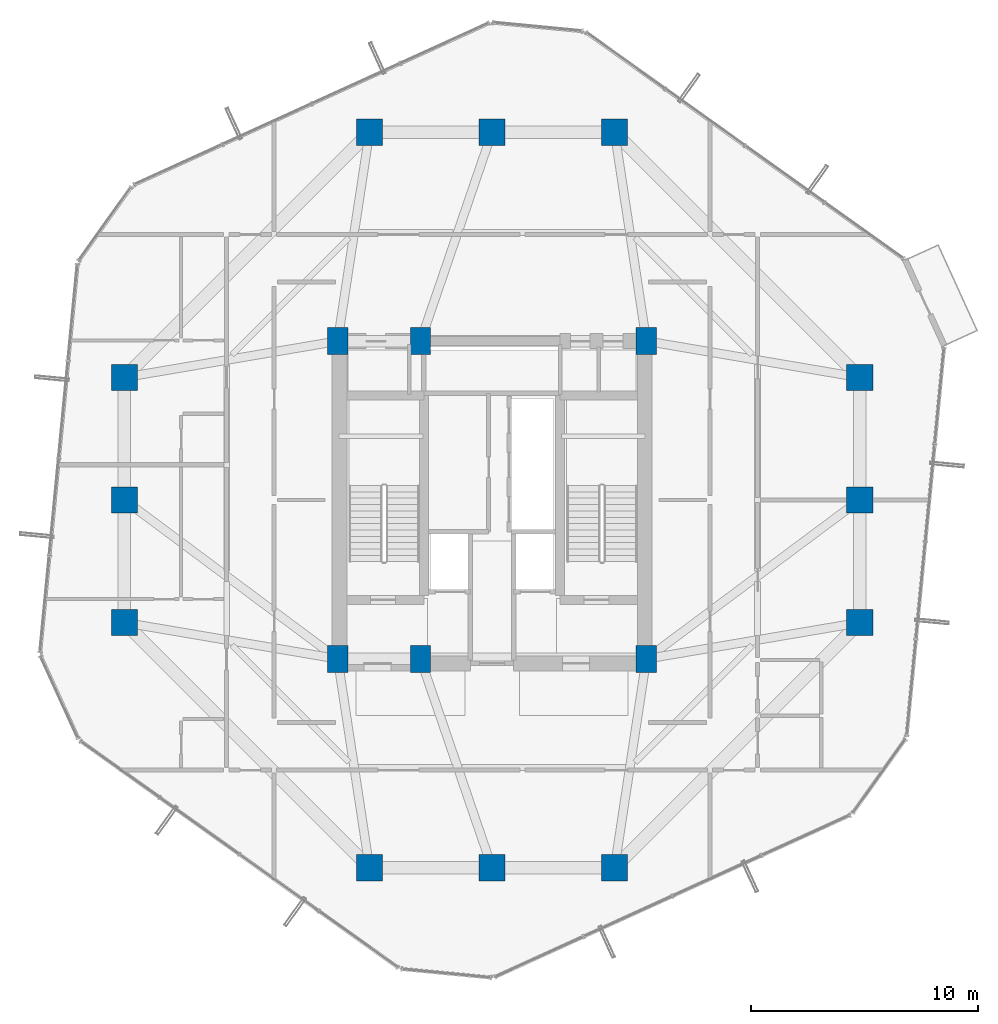
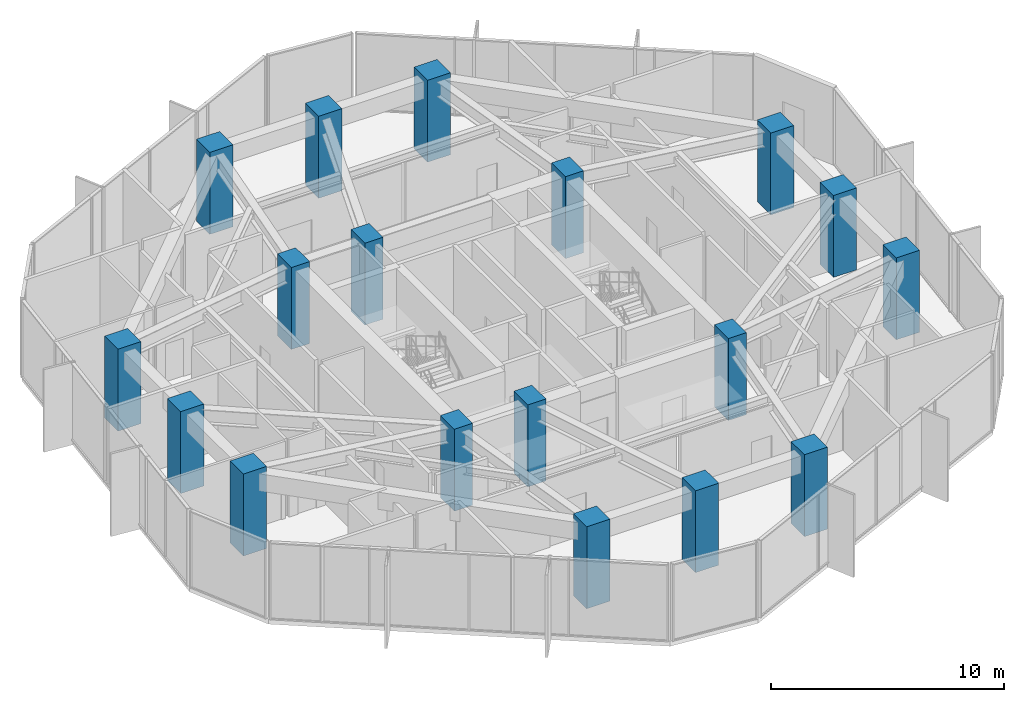
# One storey, part 1 of 25: 18 columns.
"""IFC4 building model written with IfcOpenShell, lengths in metres."""

from ifc_helpers import new_model, si_unit, direction, frame, origin, origin_2d, place, context, subcontext, project, spatial, rectangle, extrude, material, material_profile, profile_set, type_object, element, save


model = new_model("IFC4")

# Units and contexts
model_context = context("Model", 3, precision=1e-05, world=origin(), true_north=direction((0.0, 1.0)))
body_context = subcontext(model_context, "Body", "Model", "MODEL_VIEW")
ifc_project = project(units=[si_unit("LENGTHUNIT", "METRE"), si_unit("AREAUNIT", "SQUARE_METRE"), si_unit("VOLUMEUNIT", "CUBIC_METRE"), si_unit("PLANEANGLEUNIT", "RADIAN"), si_unit("MASSUNIT", "GRAM", prefix="KILO")], contexts=[model_context])

# Site, building, storey
site_placement = place(None, origin())
site = spatial("IfcSite", under=ifc_project, at=site_placement, CompositionType="ELEMENT")
building_placement = place(site_placement, origin())
building = spatial("IfcBuilding", under=site, at=building_placement, Name="Veraguas Prism Commons", CompositionType="ELEMENT")
storey_placement = place(building_placement, frame((0.0, 0.0, 108.949951171875)))
storey = spatial("IfcBuildingStorey", under=building, at=storey_placement, Name="L30", CompositionType="ELEMENT", Elevation=108.949951171875)

# Columns
ifc_material = material(Name="Concrete C60/75", Category="concrete")
ifc_material_profile_1 = material_profile(ifc_material, rectangle(XDim=1.14990234375, YDim=1.14990234375, at=origin_2d()), Name="RC1150X1150")
ifc_profile_set_1 = profile_set([ifc_material_profile_1], Name="Concrete C60/75")
column_type_1 = type_object("IfcColumnType", Name="Column Tube Z2 RC 1150x1150", PredefinedType="COLUMN", material=ifc_profile_set_1)
for number, where, z_axis, x_axis, name in (
    (1, (40.199951171875, 18.60009765625, 0.0), (0.0, 0.0, 1.0), (1.0, 0.0, 0.0), "Tower Perimeter Column L30-TB01"),
    (2, (40.199951171875, 24.0, 0.0), (0.0, 0.0, 1.0), (1.0, 0.0, 0.0), "Tower Perimeter Column L30-TB02"),
    (3, (40.199951171875, 29.39990234375, 0.0), (0.0, 0.0, 1.0), (1.0, 0.0, 0.0), "Tower Perimeter Column L30-TB03"),
    (4, (29.39990234375, 40.199951171875, 0.0), (0.0, 0.0, 1.0), (1.0, 0.0, 0.0), "Tower Perimeter Column L30-TB04"),
    (5, (24.0, 40.199951171875, 0.0), (0.0, 0.0, 1.0), (1.0, 0.0, 0.0), "Tower Perimeter Column L30-TB05"),
    (6, (18.60009765625, 40.199951171875, 0.0), (0.0, 0.0, 1.0), (1.0, 0.0, 0.0), "Tower Perimeter Column L30-TB06"),
    (7, (7.800048828125, 29.39990234375, 0.0), (0.0, 0.0, 1.0), (1.0, 0.0, 0.0), "Tower Perimeter Column L30-TB07"),
    (8, (7.800048828125, 24.0, 0.0), (0.0, 0.0, 1.0), (1.0, 0.0, 0.0), "Tower Perimeter Column L30-TB08"),
    (9, (7.800048828125, 18.60009765625, 0.0), (0.0, 0.0, 1.0), (1.0, 0.0, 0.0), "Tower Perimeter Column L30-TB09"),
    (10, (18.60009765625, 7.800048828125, 0.0), (0.0, 0.0, 1.0), (1.0, 0.0, 0.0), "Tower Perimeter Column L30-TB10"),
    (11, (24.0, 7.800048828125, 0.0), (0.0, 0.0, 1.0), (1.0, 0.0, 0.0), "Tower Perimeter Column L30-TB11"),
    (12, (29.39990234375, 7.800048828125, 0.0), (0.0, 0.0, 1.0), (1.0, 0.0, 0.0), "Tower Perimeter Column L30-TB12"),
):
    element("IfcColumn", number, at=place(storey_placement, frame(where, z_axis=z_axis, x_axis=x_axis)), inside=storey, type_object=column_type_1, Name=name, PredefinedType="COLUMN", context=body_context, shape_type="SweptSolid", body=[
        extrude(rectangle(XDim=1.14990234375, YDim=1.14990234375, at=origin_2d()), origin(), (0.0, 0.0, 1.0), 4.300048828125),
    ])
ifc_material_profile_2 = material_profile(ifc_material, rectangle(XDim=0.89990234375, YDim=1.199951171875, at=origin_2d()), Name="RC900X1200")
ifc_profile_set_2 = profile_set([ifc_material_profile_2], Name="Concrete C60/75")
column_type_2 = type_object("IfcColumnType", Name="Pilaster Core Lower RC 900x1200", PredefinedType="PILASTER", material=ifc_profile_set_2)
for number, where, z_axis, x_axis, name in (
    (13, (17.199951171875, 17.0, 0.0), (0.0, 0.0, 1.0), (1.0, 0.0, 0.0), "Core Pilaster Column L30-CR1"),
    (14, (20.85009765625, 17.0, 0.0), (0.0, 0.0, 1.0), (1.0, 0.0, 0.0), "Core Pilaster Column L30-CR2"),
    (15, (30.800048828125, 17.0, 0.0), (0.0, 0.0, 1.0), (1.0, 0.0, 0.0), "Core Pilaster Column L30-CR3"),
    (16, (17.199951171875, 31.0, 0.0), (0.0, 0.0, 1.0), (1.0, 0.0, 0.0), "Core Pilaster Column L30-CR4"),
    (17, (20.85009765625, 31.0, 0.0), (0.0, 0.0, 1.0), (1.0, 0.0, 0.0), "Core Pilaster Column L30-CR5"),
    (18, (30.800048828125, 31.0, 0.0), (0.0, 0.0, 1.0), (1.0, 0.0, 0.0), "Core Pilaster Column L30-CR6"),
):
    element("IfcColumn", number, at=place(storey_placement, frame(where, z_axis=z_axis, x_axis=x_axis)), inside=storey, type_object=column_type_2, Name=name, PredefinedType="PILASTER", context=body_context, shape_type="SweptSolid", body=[
        extrude(rectangle(XDim=0.89990234375, YDim=1.199951171875, at=origin_2d()), origin(), (0.0, 0.0, 1.0), 4.300048828125),
    ])

save(model, "model.ifc")
